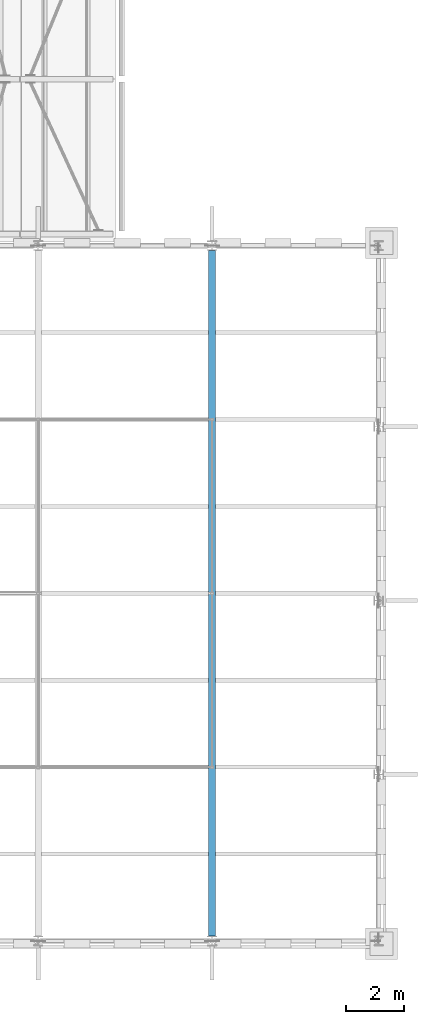
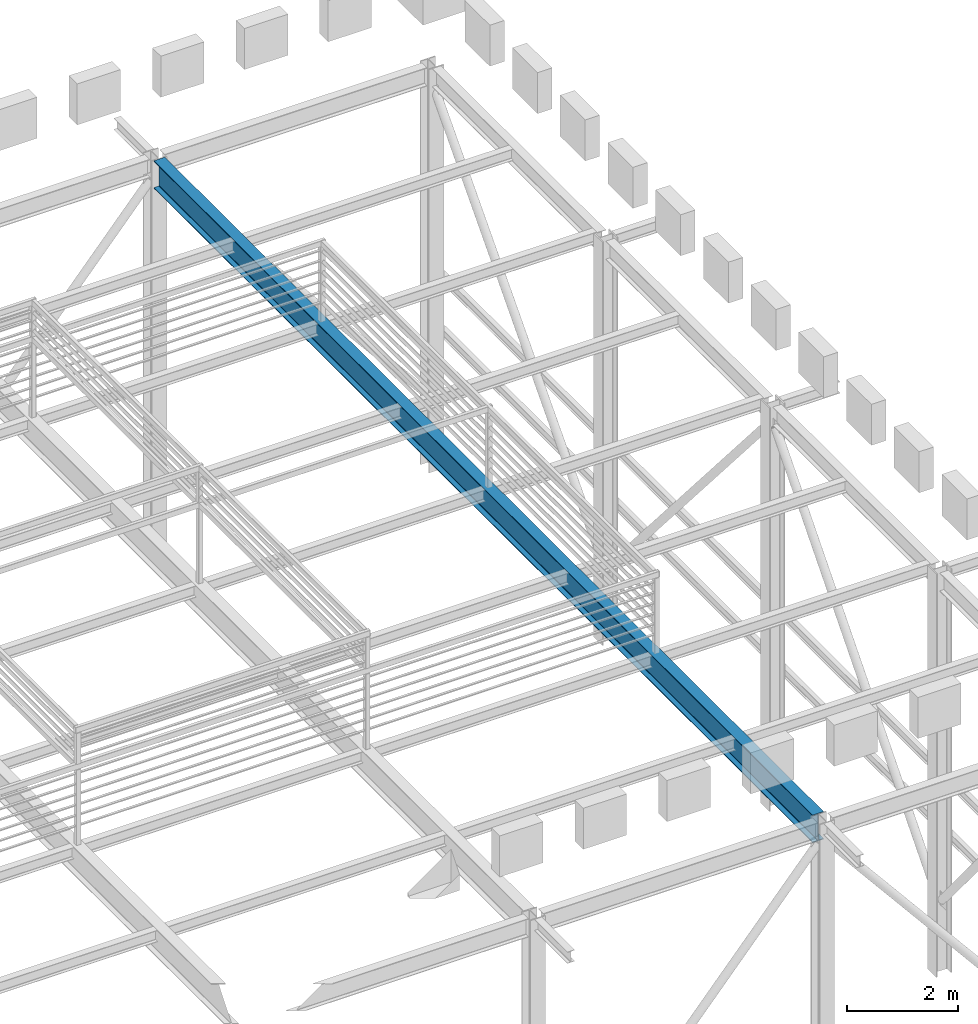
# One storey, part 13 of 57: 1 beam.
"""IFC4 building model written with IfcOpenShell, lengths in metres."""

from ifc_helpers import new_model, si_unit, direction, frame, origin, origin_2d, place, context, subcontext, project, spatial, i_section, extrude, material, material_profile, profile_set, type_object, element, save


model = new_model("IFC4")

# Units and contexts
model_context = context("Model", 3, precision=1e-05, world=origin(), true_north=direction((0.0, 1.0)))
body_context = subcontext(model_context, "Body", "Model", "MODEL_VIEW")
ifc_project = project(units=[si_unit("LENGTHUNIT", "METRE"), si_unit("AREAUNIT", "SQUARE_METRE"), si_unit("VOLUMEUNIT", "CUBIC_METRE"), si_unit("PLANEANGLEUNIT", "RADIAN"), si_unit("MASSUNIT", "GRAM", prefix="KILO")], contexts=[model_context])

# Site, building, storey
site_placement = place(None, origin())
site = spatial("IfcSite", under=ifc_project, at=site_placement, CompositionType="ELEMENT")
building_placement = place(site_placement, origin())
building = spatial("IfcBuilding", under=site, at=building_placement, Name="Saffron Lane Theatres", CompositionType="ELEMENT")
storey_placement = place(building_placement, frame((0.0, 0.0, 28.0)))
storey = spatial("IfcBuildingStorey", under=building, at=storey_placement, Name="Upper Roof", CompositionType="ELEMENT", Elevation=28.0)

# Beam
ifc_material = material(Name="Steel Grade 350", Category="steel")
ifc_material_profile = material_profile(ifc_material, i_section(OverallWidth=0.22802734375, OverallDepth=0.60693359375, WebThickness=0.01123046875, FlangeThickness=0.017333984375, FilletRadius=0.013916015625, at=origin_2d()))
ifc_profile_set = profile_set([ifc_material_profile], Name="Steel Grade 350")
beam_type = type_object("IfcBeamType", Name="ST-ROOF PRIMARY 610UB113", PredefinedType="BEAM", material=ifc_profile_set)
beam_placement = place(storey_placement, frame((42.0, 30.41357421875, 8.54638671875), z_axis=(0.0, 1.0, 0.0), x_axis=(-1.0, 0.0, 0.0)))
element("IfcBeam", 1, at=beam_placement, inside=storey, type_object=beam_type, Name="TS4", PredefinedType="BEAM", context=body_context, shape_type="SweptSolid", body=[
    extrude(i_section(OverallWidth=0.22802734375, OverallDepth=0.60693359375, WebThickness=0.01123046875, FlangeThickness=0.017333984375, FilletRadius=0.013916015625, at=origin_2d()), origin(), (0.0, 0.0, 1.0), 23.6728515625),
])

save(model, "model.ifc")
